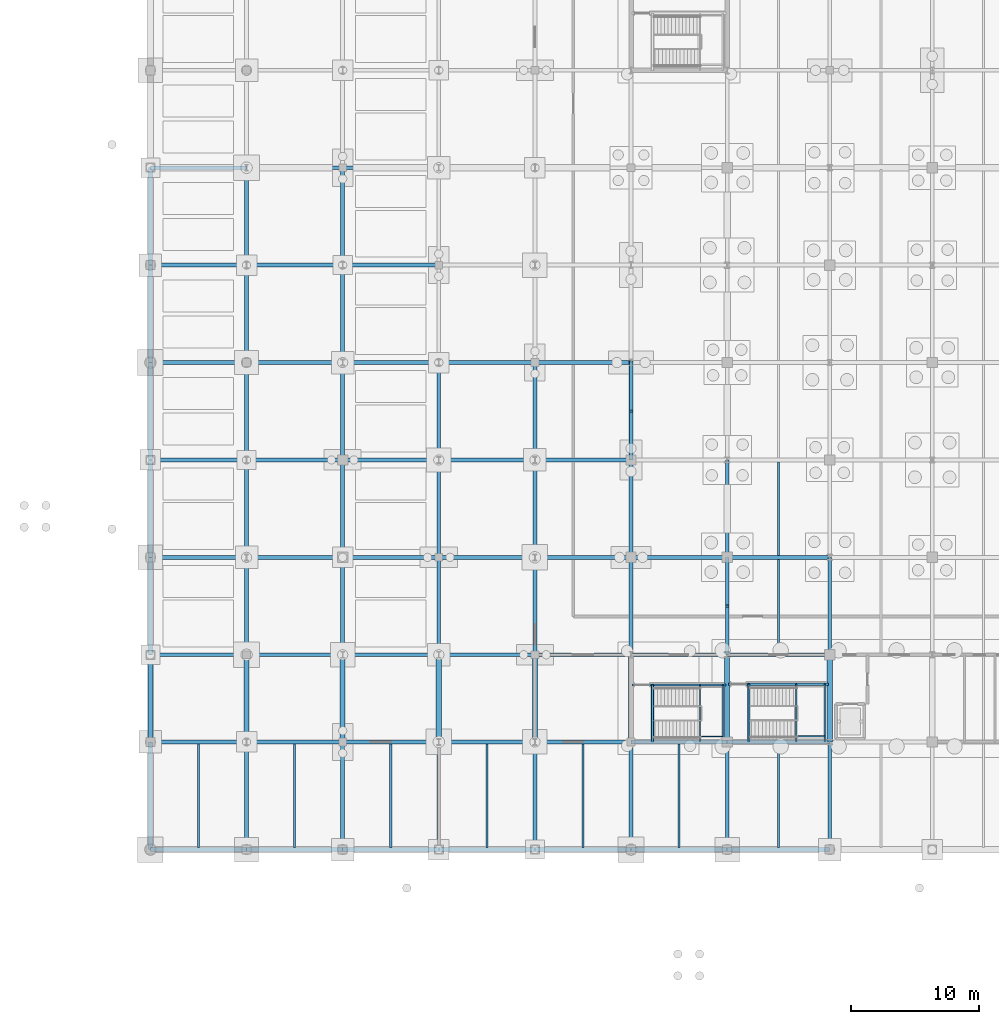
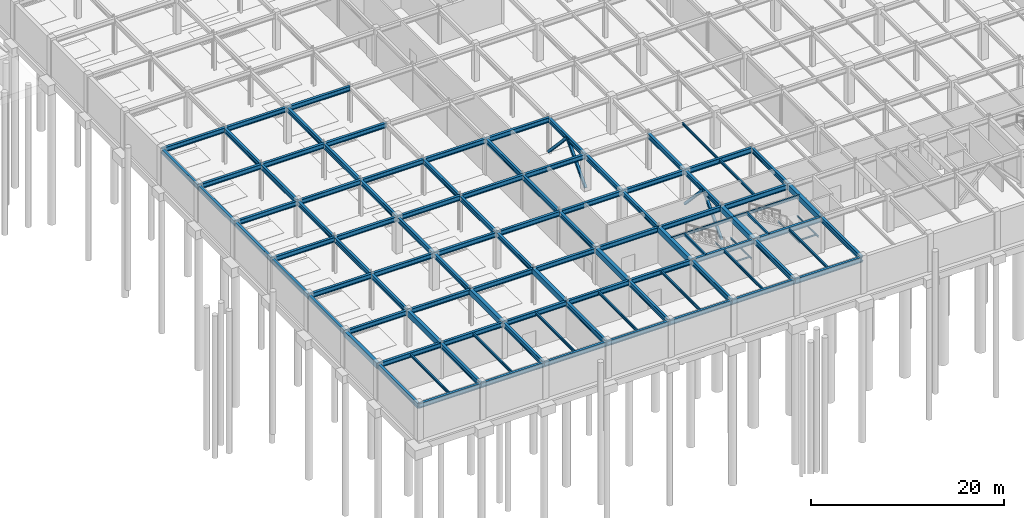
# One storey, part 29 of 53: 106 beams, 4 members.
"""IFC4 building model written with IfcOpenShell, lengths in metres."""

import ifcopenshell
import ifcopenshell.guid

model = None  # the IFC model being written
_history = None  # IfcOwnerHistory: only IFC2X3 demands one
_inside = {}  # id of a spatial element -> (the spatial element, [elements in it])
_under = {}  # id of a project, library or spatial element -> (it, [spatial elements below it])
_declared = {}  # id of a project -> (the project, [libraries it declares])
_typed = {}  # id of a type object -> (the type object, [elements of that type])
_made_of = {}  # id of a material, layer set ... -> (it, [elements and type objects made of it])


def new_model(schema):
    """Start an empty IFC model of exactly this schema.

    Asked for "IFC4X3", IfcOpenShell would pick the latest addendum, in which some entities
    have other attributes; the version numbers below select the first issue.
    IFC2X3 requires an IfcOwnerHistory on every rooted entity: one is made here for all.
    """
    global model, _history
    if schema == "IFC4X3":
        model = ifcopenshell.file(schema_version=(4, 3, 0, 0))
    else:
        model = ifcopenshell.file(schema=schema)
    _inside.clear()
    _under.clear()
    _declared.clear()
    _typed.clear()
    _made_of.clear()
    _history = None
    if model.schema == "IFC2X3":
        org = make("IfcOrganization", Name="unknown")
        user = make(
            "IfcPersonAndOrganization",
            ThePerson=make("IfcPerson", FamilyName="unknown"),
            TheOrganization=org,
        )
        app = make(
            "IfcApplication",
            ApplicationDeveloper=org,
            Version="unknown",
            ApplicationFullName="unknown",
            ApplicationIdentifier="unknown",
        )
        _history = make(
            "IfcOwnerHistory",
            OwningUser=user,
            OwningApplication=app,
            ChangeAction="ADDED",
            CreationDate=0,
        )
    return model


def make(cls, **values):
    """One entity of the class cls with the attributes given. An attribute that is None is left unset."""
    return model.create_entity(
        cls, **{name: value for name, value in values.items() if value is not None}
    )


def rooted(cls, **values):
    """An entity with a GlobalId (a new one), such as an element, a storey or a relation."""
    return make(cls, GlobalId=ifcopenshell.guid.new(), OwnerHistory=_history, **values)


def si_unit(unit_type, name, prefix=None):
    """IfcSIUnit, for example si_unit("LENGTHUNIT", "METRE", prefix="MILLI")."""
    return make("IfcSIUnit", UnitType=unit_type, Prefix=prefix, Name=name)


def assignment(units):
    """IfcUnitAssignment: the units of a project."""
    return None if units is None else make("IfcUnitAssignment", Units=units)


def point(xyz):
    """IfcCartesianPoint."""
    return None if xyz is None else make("IfcCartesianPoint", Coordinates=xyz)


def direction(xyz):
    """IfcDirection."""
    return None if xyz is None else make("IfcDirection", DirectionRatios=xyz)


def frame(location, z_axis=None, x_axis=None):
    """IfcAxis2Placement3D, a coordinate frame: its origin and axes. An axis left out is left unset."""
    return make(
        "IfcAxis2Placement3D",
        Location=point(location),
        Axis=direction(z_axis),
        RefDirection=direction(x_axis),
    )


def frame_2d(location, x_axis=None):
    """IfcAxis2Placement2D, a coordinate frame in the plane: its origin and x axis."""
    return make(
        "IfcAxis2Placement2D", Location=point(location), RefDirection=direction(x_axis)
    )


def origin():
    """The frame at (0, 0, 0) with its axes left unset."""
    return frame((0.0, 0.0, 0.0))


def origin_2d():
    """The frame at (0, 0) in the plane with its x axis left unset."""
    return frame_2d((0.0, 0.0))


def place(relative_to, where):
    """IfcLocalPlacement: puts the frame where relative to a parent placement (None: the world)."""
    return make(
        "IfcLocalPlacement", PlacementRelTo=relative_to, RelativePlacement=where
    )


def context(
    kind, dimensions, precision=None, world=None, true_north=None, identifier=None
):
    """IfcGeometricRepresentationContext, for example the 3D "Model" context."""
    return make(
        "IfcGeometricRepresentationContext",
        ContextIdentifier=identifier,
        ContextType=kind,
        CoordinateSpaceDimension=dimensions,
        Precision=precision,
        WorldCoordinateSystem=world,
        TrueNorth=true_north,
    )


def subcontext(parent, identifier, kind, view, scale=None):
    """IfcGeometricRepresentationSubContext, for example "Body" below "Model"."""
    return make(
        "IfcGeometricRepresentationSubContext",
        ContextIdentifier=identifier,
        ContextType=kind,
        ParentContext=parent,
        TargetScale=scale,
        TargetView=view,
    )


def project(units=None, contexts=None):
    """IfcProject with its units and contexts."""
    return rooted(
        "IfcProject",
        Name="project",
        RepresentationContexts=contexts,
        UnitsInContext=assignment(units),
    )


def spatial(cls, under=None, at=None, **own):
    """A site, building, storey or space (cls), placed at a placement, below another one or the project."""
    s = rooted(cls, ObjectPlacement=at, **own)
    if under is not None:
        _under.setdefault(under.id(), (under, []))[1].append(s)
    return s


def profile(cls, at=None, kind="AREA", **sizes):
    """A parametric profile (cls). Its sizes go by their IFC names, for example OverallWidth=200.0."""
    return make(cls, ProfileType=kind, Position=at, **sizes)


def rectangle(**sizes):
    """IfcRectangleProfileDef."""
    return profile("IfcRectangleProfileDef", **sizes)


def hollow_rectangle(**sizes):
    """IfcRectangleHollowProfileDef."""
    return profile("IfcRectangleHollowProfileDef", **sizes)


def i_section(**sizes):
    """IfcIShapeProfileDef."""
    return profile("IfcIShapeProfileDef", **sizes)


def extrude(swept, where, along, depth):
    """IfcExtrudedAreaSolid: the profile swept, set in the frame where, extruded along a direction by depth."""
    return make(
        "IfcExtrudedAreaSolid",
        SweptArea=swept,
        Position=where,
        ExtrudedDirection=direction(along),
        Depth=depth,
    )


def shape(context_of_items, identifier, shape_type, items):
    """IfcShapeRepresentation: the items that make up one representation, for example the "Body"."""
    return make(
        "IfcShapeRepresentation",
        ContextOfItems=context_of_items,
        RepresentationIdentifier=identifier,
        RepresentationType=shape_type,
        Items=items,
    )


def material(Name=None, Category=None):
    """IfcMaterial."""
    return make("IfcMaterial", Name=Name, Category=Category)


def material_profile(
    of_material, cross_section, Name=None, Category=None, Priority=None
):
    """IfcMaterialProfile: a cross section and its material."""
    return make(
        "IfcMaterialProfile",
        Name=Name,
        Material=of_material,
        Profile=cross_section,
        Priority=Priority,
        Category=Category,
    )


def profile_set(profiles, Name=None, composite=None):
    """IfcMaterialProfileSet."""
    return make(
        "IfcMaterialProfileSet",
        Name=Name,
        MaterialProfiles=profiles,
        CompositeProfile=composite,
    )


def made_of(thing, what):
    """Note that an element or type object is made of a material, layer set ...; save() writes the relation."""
    if what is not None:
        _made_of.setdefault(what.id(), (what, []))[1].append(thing)
    return thing


def type_object(cls, material=None, **own):
    """A type object (cls), such as IfcWallType, which elements share."""
    return made_of(rooted(cls, **own), material)


def element(
    cls,
    number,
    at=None,
    inside=None,
    cuts=None,
    type_object=None,
    material=None,
    context=None,
    identifier="Body",
    shape_type=None,
    held_by="IfcProductDefinitionShape",
    body=None,
    shapes=None,
    **own,
):
    """One element of the class cls, such as IfcWall. Its Tag is "e" and its number.

    at: its placement. inside: the storey or other place that contains it. cuts: it is an
    opening in that element (IfcRelVoidsElement). A single representation is given by context,
    identifier, shape_type and body (its items); several are given by shapes. held_by: the class
    of the entity that holds the representations. save() writes the other relations.
    """
    e = rooted(cls, Tag="e%d" % number, ObjectPlacement=at, **own)
    if body is not None:
        shapes = [shape(context, identifier, shape_type, body)]
    if shapes is not None:
        e.Representation = make(held_by, Representations=shapes)
    if inside is not None:
        _inside.setdefault(inside.id(), (inside, []))[1].append(e)
    if cuts is not None:
        rooted(
            "IfcRelVoidsElement", RelatingBuildingElement=cuts, RelatedOpeningElement=e
        )
    if type_object is not None:
        _typed.setdefault(type_object.id(), (type_object, []))[1].append(e)
    return made_of(e, material)


def aggregate(whole, parts):
    """IfcRelAggregates: a whole, such as a stair, and the parts it consists of."""
    return rooted("IfcRelAggregates", RelatingObject=whole, RelatedObjects=parts)


def save(model, path):
    """Write the relations noted so far, then the file.

    IfcRelAggregates (storeys below a building ...), IfcRelContainedInSpatialStructure (elements
    in a storey), IfcRelDefinesByType, IfcRelAssociatesMaterial and IfcRelDeclares: one each for
    every whole, place, type object, material and project.
    """
    for whole, parts in _under.values():
        aggregate(whole, parts)
    for where, things in _inside.values():
        rooted(
            "IfcRelContainedInSpatialStructure",
            RelatedElements=things,
            RelatingStructure=where,
        )
    for kind, things in _typed.values():
        rooted("IfcRelDefinesByType", RelatedObjects=things, RelatingType=kind)
    for what, things in _made_of.values():
        rooted("IfcRelAssociatesMaterial", RelatedObjects=things, RelatingMaterial=what)
    for by, libraries in _declared.values():
        rooted("IfcRelDeclares", RelatingContext=by, RelatedDefinitions=libraries)
    model.write(path)


model = new_model("IFC4")

# Units and contexts
model_context = context("Model", 3, precision=1e-05, world=origin(), true_north=direction((0.0, 1.0)))
body_context = subcontext(model_context, "Body", "Model", "MODEL_VIEW")
ifc_project = project(units=[si_unit("LENGTHUNIT", "METRE"), si_unit("AREAUNIT", "SQUARE_METRE"), si_unit("VOLUMEUNIT", "CUBIC_METRE"), si_unit("PLANEANGLEUNIT", "RADIAN"), si_unit("MASSUNIT", "GRAM", prefix="KILO")], contexts=[model_context])

# Site, building, storey
site_placement = place(None, origin())
site = spatial("IfcSite", under=ifc_project, at=site_placement, CompositionType="ELEMENT")
building_placement = place(site_placement, origin())
building = spatial("IfcBuilding", under=site, at=building_placement, Name="Shalkamar Park Central Library", CompositionType="ELEMENT")
storey_placement = place(building_placement, frame((0.0, 0.0, -4.800048828125)))
storey = spatial("IfcBuildingStorey", under=building, at=storey_placement, Name="B1", CompositionType="ELEMENT", Elevation=-4.800048828125)

# Beams
ifc_material_1 = material(Name="Steel S355", Category="steel")
ifc_material_profile_1 = material_profile(ifc_material_1, i_section(OverallWidth=0.10009765625, OverallDepth=0.199951171875, WebThickness=0.005615234375, FlangeThickness=0.008544921875, FilletRadius=0.011962890625, at=origin_2d()), Name="IPE 200")
ifc_profile_set_1 = profile_set([ifc_material_profile_1], Name="Steel S355")
beam_type_1 = type_object("IfcBeamType", Name="Composite Floor Joist IPE200", PredefinedType="JOIST", material=ifc_profile_set_1)
for number, where, z_axis, x_axis, name in (
    (1, (170.39990234375, 248.39990234375, 2.02001953125), (0.0, 1.0, 0.0), (-1.0, 0.0, 0.0), "Stair Half-Landing Beam ST-T1-B1-1"),
    (2, (172.6201171875, 248.39990234375, 2.02001953125), (0.0, 1.0, 0.0), (-1.0, 0.0, 0.0), "Stair Half-Landing Beam ST-T1-B1-2"),
):
    element("IfcBeam", number, at=place(storey_placement, frame(where, z_axis=z_axis, x_axis=x_axis)), inside=storey, type_object=beam_type_1, Name=name, PredefinedType="JOIST", context=body_context, shape_type="SweptSolid", body=[
        extrude(i_section(OverallWidth=0.10009765625, OverallDepth=0.199951171875, WebThickness=0.005615234375, FlangeThickness=0.008544921875, FilletRadius=0.011962890625, at=origin_2d()), origin(), (0.0, 0.0, 1.0), 4.5),
    ])
beam_1_placement = place(storey_placement, frame((170.39990234375, 248.85009765625, 2.02001953125), z_axis=(1.0, 0.0, 0.0), x_axis=(0.0, 1.0, 0.0)))
element("IfcBeam", 3, at=beam_1_placement, inside=storey, type_object=beam_type_1, Name="Stair Half-Landing Cross Tie ST-T1-B1-3", PredefinedType="JOIST", context=body_context, shape_type="SweptSolid", body=[
    extrude(i_section(OverallWidth=0.10009765625, OverallDepth=0.199951171875, WebThickness=0.005615234375, FlangeThickness=0.008544921875, FilletRadius=0.011962890625, at=origin_2d()), origin(), (0.0, 0.0, 1.0), 2.22021484375),
])
for number, where, z_axis, x_axis, name in (
    (4, (162.875, 248.39990234375, 2.02001953125), (0.0, 1.0, 0.0), (-1.0, 0.0, 0.0), "Stair Half-Landing Beam ST-P1-B1-1"),
    (5, (164.64501953125, 248.39990234375, 2.02001953125), (0.0, 1.0, 0.0), (-1.0, 0.0, 0.0), "Stair Half-Landing Beam ST-P1-B1-2"),
):
    element("IfcBeam", number, at=place(storey_placement, frame(where, z_axis=z_axis, x_axis=x_axis)), inside=storey, type_object=beam_type_1, Name=name, PredefinedType="JOIST", context=body_context, shape_type="SweptSolid", body=[
        extrude(i_section(OverallWidth=0.10009765625, OverallDepth=0.199951171875, WebThickness=0.005615234375, FlangeThickness=0.008544921875, FilletRadius=0.011962890625, at=origin_2d()), origin(), (0.0, 0.0, 1.0), 4.4501953125),
    ])
beam_2_placement = place(storey_placement, frame((162.875, 248.824951171875, 2.02001953125), z_axis=(1.0, 0.0, 0.0), x_axis=(0.0, 1.0, 0.0)))
element("IfcBeam", 6, at=beam_2_placement, inside=storey, type_object=beam_type_1, Name="Stair Half-Landing Cross Tie ST-P1-B1-3", PredefinedType="JOIST", context=body_context, shape_type="SweptSolid", body=[
    extrude(i_section(OverallWidth=0.10009765625, OverallDepth=0.199951171875, WebThickness=0.005615234375, FlangeThickness=0.008544921875, FilletRadius=0.011962890625, at=origin_2d()), origin(), (0.0, 0.0, 1.0), 1.77001953125),
])
ifc_material_profile_2 = material_profile(ifc_material_1, i_section(OverallWidth=0.14990234375, OverallDepth=0.300048828125, WebThickness=0.007080078125, FlangeThickness=0.0107421875, FilletRadius=0.014892578125, at=origin_2d()), Name="IPE 300")
ifc_profile_set_2 = profile_set([ifc_material_profile_2], Name="Steel S355")
beam_type_2 = type_object("IfcBeamType", Name="Composite Floor Joist IPE300", PredefinedType="JOIST", material=ifc_profile_set_2)
beam_3_placement = place(storey_placement, frame((169.0, 262.947998046875, 4.360107421875), z_axis=(0.0, 1.0, 0.0), x_axis=(-1.0, 0.0, 0.0)))
element("IfcBeam", 7, at=beam_3_placement, inside=storey, type_object=beam_type_2, Name="Composite Joist 07/D-1 (B1)", PredefinedType="JOIST", context=body_context, shape_type="SweptSolid", body=[
    extrude(i_section(OverallWidth=0.14990234375, OverallDepth=0.300048828125, WebThickness=0.007080078125, FlangeThickness=0.0107421875, FilletRadius=0.014892578125, at=origin_2d()), origin(), (0.0, 0.0, 1.0), 7.303955078125),
])
ifc_material_profile_3 = material_profile(ifc_material_1, i_section(OverallWidth=0.159912109375, OverallDepth=0.330078125, WebThickness=0.007568359375, FlangeThickness=0.011474609375, FilletRadius=0.01806640625, at=origin_2d()), Name="IPE 330")
ifc_profile_set_3 = profile_set([ifc_material_profile_3], Name="Steel S355")
beam_type_3 = type_object("IfcBeamType", Name="Composite Floor Joist IPE330", PredefinedType="JOIST", material=ifc_profile_set_3)
for number, where, z_axis, x_axis, name in (
    (8, (123.75, 240.14794921875, 4.344970703125), (0.0, 1.0, 0.0), (-1.0, 0.0, 0.0), "Composite Joist 01/A-1 (B1)"),
    (9, (131.25, 240.14794921875, 4.344970703125), (0.0, 1.0, 0.0), (-1.0, 0.0, 0.0), "Composite Joist 02/A-1 (B1)"),
    (10, (138.75, 240.14794921875, 4.344970703125), (0.0, 1.0, 0.0), (-1.0, 0.0, 0.0), "Composite Joist 03/A-1 (B1)"),
    (11, (146.25, 240.14794921875, 4.344970703125), (0.0, 1.0, 0.0), (-1.0, 0.0, 0.0), "Composite Joist 04/A-1 (B1)"),
    (12, (153.75, 240.14794921875, 4.344970703125), (0.0, 1.0, 0.0), (-1.0, 0.0, 0.0), "Composite Joist 05/A-1 (B1)"),
    (13, (161.25, 240.14794921875, 4.344970703125), (0.0, 1.0, 0.0), (-1.0, 0.0, 0.0), "Composite Joist 06/A-1 (B1)"),
    (14, (169.0, 240.14794921875, 4.344970703125), (0.0, 1.0, 0.0), (-1.0, 0.0, 0.0), "Composite Joist 07/A-1 (B1)"),
):
    element("IfcBeam", number, at=place(storey_placement, frame(where, z_axis=z_axis, x_axis=x_axis)), inside=storey, type_object=beam_type_3, Name=name, PredefinedType="JOIST", context=body_context, shape_type="SweptSolid", body=[
        extrude(i_section(OverallWidth=0.159912109375, OverallDepth=0.330078125, WebThickness=0.007568359375, FlangeThickness=0.011474609375, FilletRadius=0.01806640625, at=origin_2d()), origin(), (0.0, 0.0, 1.0), 8.10400390625),
    ])
beam_4_placement = place(storey_placement, frame((169.0, 255.347900390625, 4.344970703125), z_axis=(0.0, 1.0, 0.0), x_axis=(-1.0, 0.0, 0.0)))
element("IfcBeam", 15, at=beam_4_placement, inside=storey, type_object=beam_type_3, Name="Composite Joist 07/C-1 (B1)", PredefinedType="JOIST", context=body_context, shape_type="SweptSolid", body=[
    extrude(i_section(OverallWidth=0.159912109375, OverallDepth=0.330078125, WebThickness=0.007568359375, FlangeThickness=0.011474609375, FilletRadius=0.01806640625, at=origin_2d()), origin(), (0.0, 0.0, 1.0), 7.30419921875),
])

# Members
ifc_material_profile_4 = material_profile(ifc_material_1, hollow_rectangle(XDim=0.300048828125, YDim=0.300048828125, WallThickness=0.01611328125, InnerFilletRadius=0.01611328125, OuterFilletRadius=0.02392578125, at=origin_2d()), Name="SHS 300x300x16")
ifc_profile_set_4 = profile_set([ifc_material_profile_4], Name="Steel S355")
member_type = type_object("IfcMemberType", Name="Diagonal Brace SHS300", PredefinedType="BRACE", material=ifc_profile_set_4)
for number, where, z_axis, x_axis, name in (
    (16, (165.0, 255.199951171875, 0.150146484375), (0.0, 0.683364048982, 0.730077788019), (-1.0, 0.0, 0.0), "Chevron Brace TW-W Leg A (B1)"),
    (17, (165.0, 262.800048828125, 0.150146484375), (0.0, -0.683364048982, 0.730077788019), (1.0, 0.0, 0.0), "Chevron Brace TW-W Leg B (B1)"),
    (18, (157.5, 270.39990234375, 0.150146484375), (0.0, 0.683364048982, 0.730077788019), (-1.0, 0.0, 0.0), "Chevron Brace PD-W Leg A (B1)"),
    (19, (157.5, 278.0, 0.150146484375), (0.0, -0.683364048982, 0.730077788019), (1.0, 0.0, 0.0), "Chevron Brace PD-W Leg B (B1)"),
):
    element("IfcMember", number, at=place(storey_placement, frame(where, z_axis=z_axis, x_axis=x_axis)), inside=storey, type_object=member_type, Name=name, PredefinedType="BRACE", context=body_context, shape_type="SweptSolid", body=[
        extrude(hollow_rectangle(XDim=0.300048828125, YDim=0.300048828125, WallThickness=0.01611328125, InnerFilletRadius=0.01611328125, OuterFilletRadius=0.02392578125, at=origin_2d()), origin(), (0.0, 0.0, 1.0), 5.560791015625),
    ])

# Beams
ifc_material_profile_5 = material_profile(ifc_material_1, i_section(OverallWidth=0.300048828125, OverallDepth=0.60009765625, WebThickness=0.015380859375, FlangeThickness=0.030029296875, FilletRadius=0.027099609375, at=origin_2d()), Name="HEB 600")
ifc_profile_set_5 = profile_set([ifc_material_profile_5], Name="Steel S355")
beam_type_4 = type_object("IfcBeamType", Name="Primary Girder HEB600", PredefinedType="BEAM", material=ifc_profile_set_5)
for number, where, z_axis, x_axis, name in (
    (20, (120.0, 240.0, 4.2099609375), (1.0, 0.0, 0.0), (0.0, 1.0, 0.0), "Beam A:01-02 (B1)"),
    (21, (127.5, 240.0, 4.2099609375), (1.0, 0.0, 0.0), (0.0, 1.0, 0.0), "Beam A:02-03 (B1)"),
    (22, (135.0, 240.0, 4.2099609375), (1.0, 0.0, 0.0), (0.0, 1.0, 0.0), "Beam A:03-04 (B1)"),
    (23, (142.5, 240.0, 4.2099609375), (1.0, 0.0, 0.0), (0.0, 1.0, 0.0), "Beam A:04-05 (B1)"),
    (24, (150.0, 240.0, 4.2099609375), (1.0, 0.0, 0.0), (0.0, 1.0, 0.0), "Beam A:05-06 (B1)"),
    (25, (157.5, 240.0, 4.2099609375), (1.0, 0.0, 0.0), (0.0, 1.0, 0.0), "Beam A:06-07 (B1)"),
    (26, (120.0, 248.39990234375, 4.2099609375), (1.0, 0.0, 0.0), (0.0, 1.0, 0.0), "Beam B:01-02 (B1)"),
    (27, (127.5, 248.39990234375, 4.2099609375), (1.0, 0.0, 0.0), (0.0, 1.0, 0.0), "Beam B:02-03 (B1)"),
    (28, (135.0, 248.39990234375, 4.2099609375), (1.0, 0.0, 0.0), (0.0, 1.0, 0.0), "Beam B:03-04 (B1)"),
    (29, (142.5, 248.39990234375, 4.2099609375), (1.0, 0.0, 0.0), (0.0, 1.0, 0.0), "Beam B:04-05 (B1)"),
    (30, (150.0, 248.39990234375, 4.2099609375), (1.0, 0.0, 0.0), (0.0, 1.0, 0.0), "Beam B:05-06 (B1)"),
    (31, (157.5, 248.39990234375, 4.2099609375), (1.0, 0.0, 0.0), (0.0, 1.0, 0.0), "Beam B:06-07 (B1)"),
    (32, (120.0, 255.199951171875, 4.2099609375), (1.0, 0.0, 0.0), (0.0, 1.0, 0.0), "Beam C:01-02 (B1)"),
    (33, (127.5, 255.199951171875, 4.2099609375), (1.0, 0.0, 0.0), (0.0, 1.0, 0.0), "Beam C:02-03 (B1)"),
    (34, (135.0, 255.199951171875, 4.2099609375), (1.0, 0.0, 0.0), (0.0, 1.0, 0.0), "Beam C:03-04 (B1)"),
    (35, (142.5, 255.199951171875, 4.2099609375), (1.0, 0.0, 0.0), (0.0, 1.0, 0.0), "Beam C:04-05 (B1)"),
    (36, (150.0, 255.199951171875, 4.2099609375), (1.0, 0.0, 0.0), (0.0, 1.0, 0.0), "Beam C:05-06 (B1)"),
    (37, (157.5, 255.199951171875, 4.2099609375), (1.0, 0.0, 0.0), (0.0, 1.0, 0.0), "Beam C:06-07 (B1)"),
    (38, (120.0, 262.800048828125, 4.2099609375), (1.0, 0.0, 0.0), (0.0, 1.0, 0.0), "Beam D:01-02 (B1)"),
    (39, (127.5, 262.800048828125, 4.2099609375), (1.0, 0.0, 0.0), (0.0, 1.0, 0.0), "Beam D:02-03 (B1)"),
    (40, (135.0, 262.800048828125, 4.2099609375), (1.0, 0.0, 0.0), (0.0, 1.0, 0.0), "Beam D:03-04 (B1)"),
    (41, (142.5, 262.800048828125, 4.2099609375), (1.0, 0.0, 0.0), (0.0, 1.0, 0.0), "Beam D:04-05 (B1)"),
    (42, (150.0, 262.800048828125, 4.2099609375), (1.0, 0.0, 0.0), (0.0, 1.0, 0.0), "Beam D:05-06 (B1)"),
    (43, (157.5, 262.800048828125, 4.2099609375), (1.0, 0.0, 0.0), (0.0, 1.0, 0.0), "Beam D:06-07 (B1)"),
    (44, (120.0, 270.39990234375, 4.2099609375), (1.0, 0.0, 0.0), (0.0, 1.0, 0.0), "Beam E:01-02 (B1)"),
    (45, (127.5, 270.39990234375, 4.2099609375), (1.0, 0.0, 0.0), (0.0, 1.0, 0.0), "Beam E:02-03 (B1)"),
    (46, (135.0, 270.39990234375, 4.2099609375), (1.0, 0.0, 0.0), (0.0, 1.0, 0.0), "Beam E:03-04 (B1)"),
    (47, (142.5, 270.39990234375, 4.2099609375), (1.0, 0.0, 0.0), (0.0, 1.0, 0.0), "Beam E:04-05 (B1)"),
    (48, (150.0, 270.39990234375, 4.2099609375), (1.0, 0.0, 0.0), (0.0, 1.0, 0.0), "Beam E:05-06 (B1)"),
    (49, (120.0, 278.0, 4.2099609375), (1.0, 0.0, 0.0), (0.0, 1.0, 0.0), "Beam F:01-02 (B1)"),
    (50, (127.5, 278.0, 4.2099609375), (1.0, 0.0, 0.0), (0.0, 1.0, 0.0), "Beam F:02-03 (B1)"),
    (51, (135.0, 278.0, 4.2099609375), (1.0, 0.0, 0.0), (0.0, 1.0, 0.0), "Beam F:03-04 (B1)"),
    (52, (142.5, 278.0, 4.2099609375), (1.0, 0.0, 0.0), (0.0, 1.0, 0.0), "Beam F:04-05 (B1)"),
    (53, (150.0, 278.0, 4.2099609375), (1.0, 0.0, 0.0), (0.0, 1.0, 0.0), "Beam F:05-06 (B1)"),
    (54, (120.0, 285.60009765625, 4.2099609375), (1.0, 0.0, 0.0), (0.0, 1.0, 0.0), "Beam G:01-02 (B1)"),
    (55, (127.5, 285.60009765625, 4.2099609375), (1.0, 0.0, 0.0), (0.0, 1.0, 0.0), "Beam G:02-03 (B1)"),
    (56, (135.0, 285.60009765625, 4.2099609375), (1.0, 0.0, 0.0), (0.0, 1.0, 0.0), "Beam G:03-04 (B1)"),
    (57, (120.0, 293.199951171875, 4.2099609375), (1.0, 0.0, 0.0), (0.0, 1.0, 0.0), "Beam H:01-02 (B1)"),
    (58, (127.5, 293.199951171875, 4.2099609375), (1.0, 0.0, 0.0), (0.0, 1.0, 0.0), "Beam H:02-03 (B1)"),
    (59, (135.0, 293.199951171875, 4.2099609375), (1.0, 0.0, 0.0), (0.0, 1.0, 0.0), "Beam H:03-04 (B1)"),
):
    element("IfcBeam", number, at=place(storey_placement, frame(where, z_axis=z_axis, x_axis=x_axis)), inside=storey, type_object=beam_type_4, Name=name, PredefinedType="BEAM", context=body_context, shape_type="SweptSolid", body=[
        extrude(i_section(OverallWidth=0.300048828125, OverallDepth=0.60009765625, WebThickness=0.015380859375, FlangeThickness=0.030029296875, FilletRadius=0.027099609375, at=origin_2d()), origin(), (0.0, 0.0, 1.0), 7.5),
    ])
beam_5_placement = place(storey_placement, frame((120.0, 255.199951171875, 4.2099609375), z_axis=(0.0, 1.0, 0.0), x_axis=(-1.0, 0.0, 0.0)))
element("IfcBeam", 60, at=beam_5_placement, inside=storey, type_object=beam_type_4, Name="Beam 01:C-D (B1)", PredefinedType="BEAM", context=body_context, shape_type="SweptSolid", body=[
    extrude(i_section(OverallWidth=0.300048828125, OverallDepth=0.60009765625, WebThickness=0.015380859375, FlangeThickness=0.030029296875, FilletRadius=0.027099609375, at=origin_2d()), origin(), (0.0, 0.0, 1.0), 7.60009765625),
])
beam_6_placement = place(storey_placement, frame((120.0, 262.800048828125, 4.2099609375), z_axis=(0.0, 1.0, 0.0), x_axis=(-1.0, 0.0, 0.0)))
element("IfcBeam", 61, at=beam_6_placement, inside=storey, type_object=beam_type_4, Name="Beam 01:D-E (B1)", PredefinedType="BEAM", context=body_context, shape_type="SweptSolid", body=[
    extrude(i_section(OverallWidth=0.300048828125, OverallDepth=0.60009765625, WebThickness=0.015380859375, FlangeThickness=0.030029296875, FilletRadius=0.027099609375, at=origin_2d()), origin(), (0.0, 0.0, 1.0), 7.599853515625),
])
for number, where, z_axis, x_axis, name in (
    (62, (120.0, 270.39990234375, 4.2099609375), (0.0, 1.0, 0.0), (-1.0, 0.0, 0.0), "Beam 01:E-F (B1)"),
    (63, (120.0, 278.0, 4.2099609375), (0.0, 1.0, 0.0), (-1.0, 0.0, 0.0), "Beam 01:F-G (B1)"),
):
    element("IfcBeam", number, at=place(storey_placement, frame(where, z_axis=z_axis, x_axis=x_axis)), inside=storey, type_object=beam_type_4, Name=name, PredefinedType="BEAM", context=body_context, shape_type="SweptSolid", body=[
        extrude(i_section(OverallWidth=0.300048828125, OverallDepth=0.60009765625, WebThickness=0.015380859375, FlangeThickness=0.030029296875, FilletRadius=0.027099609375, at=origin_2d()), origin(), (0.0, 0.0, 1.0), 7.60009765625),
    ])
beam_7_placement = place(storey_placement, frame((120.0, 285.60009765625, 4.2099609375), z_axis=(0.0, 1.0, 0.0), x_axis=(-1.0, 0.0, 0.0)))
element("IfcBeam", 64, at=beam_7_placement, inside=storey, type_object=beam_type_4, Name="Beam 01:G-H (B1)", PredefinedType="BEAM", context=body_context, shape_type="SweptSolid", body=[
    extrude(i_section(OverallWidth=0.300048828125, OverallDepth=0.60009765625, WebThickness=0.015380859375, FlangeThickness=0.030029296875, FilletRadius=0.027099609375, at=origin_2d()), origin(), (0.0, 0.0, 1.0), 7.599853515625),
])
beam_8_placement = place(storey_placement, frame((127.5, 255.199951171875, 4.2099609375), z_axis=(0.0, 1.0, 0.0), x_axis=(-1.0, 0.0, 0.0)))
element("IfcBeam", 65, at=beam_8_placement, inside=storey, type_object=beam_type_4, Name="Beam 02:C-D (B1)", PredefinedType="BEAM", context=body_context, shape_type="SweptSolid", body=[
    extrude(i_section(OverallWidth=0.300048828125, OverallDepth=0.60009765625, WebThickness=0.015380859375, FlangeThickness=0.030029296875, FilletRadius=0.027099609375, at=origin_2d()), origin(), (0.0, 0.0, 1.0), 7.60009765625),
])
beam_9_placement = place(storey_placement, frame((127.5, 262.800048828125, 4.2099609375), z_axis=(0.0, 1.0, 0.0), x_axis=(-1.0, 0.0, 0.0)))
element("IfcBeam", 66, at=beam_9_placement, inside=storey, type_object=beam_type_4, Name="Beam 02:D-E (B1)", PredefinedType="BEAM", context=body_context, shape_type="SweptSolid", body=[
    extrude(i_section(OverallWidth=0.300048828125, OverallDepth=0.60009765625, WebThickness=0.015380859375, FlangeThickness=0.030029296875, FilletRadius=0.027099609375, at=origin_2d()), origin(), (0.0, 0.0, 1.0), 7.599853515625),
])
for number, where, z_axis, x_axis, name in (
    (67, (127.5, 270.39990234375, 4.2099609375), (0.0, 1.0, 0.0), (-1.0, 0.0, 0.0), "Beam 02:E-F (B1)"),
    (68, (127.5, 278.0, 4.2099609375), (0.0, 1.0, 0.0), (-1.0, 0.0, 0.0), "Beam 02:F-G (B1)"),
):
    element("IfcBeam", number, at=place(storey_placement, frame(where, z_axis=z_axis, x_axis=x_axis)), inside=storey, type_object=beam_type_4, Name=name, PredefinedType="BEAM", context=body_context, shape_type="SweptSolid", body=[
        extrude(i_section(OverallWidth=0.300048828125, OverallDepth=0.60009765625, WebThickness=0.015380859375, FlangeThickness=0.030029296875, FilletRadius=0.027099609375, at=origin_2d()), origin(), (0.0, 0.0, 1.0), 7.60009765625),
    ])
beam_10_placement = place(storey_placement, frame((127.5, 285.60009765625, 4.2099609375), z_axis=(0.0, 1.0, 0.0), x_axis=(-1.0, 0.0, 0.0)))
element("IfcBeam", 69, at=beam_10_placement, inside=storey, type_object=beam_type_4, Name="Beam 02:G-H (B1)", PredefinedType="BEAM", context=body_context, shape_type="SweptSolid", body=[
    extrude(i_section(OverallWidth=0.300048828125, OverallDepth=0.60009765625, WebThickness=0.015380859375, FlangeThickness=0.030029296875, FilletRadius=0.027099609375, at=origin_2d()), origin(), (0.0, 0.0, 1.0), 7.599853515625),
])
beam_11_placement = place(storey_placement, frame((135.0, 255.199951171875, 4.2099609375), z_axis=(0.0, 1.0, 0.0), x_axis=(-1.0, 0.0, 0.0)))
element("IfcBeam", 70, at=beam_11_placement, inside=storey, type_object=beam_type_4, Name="Beam 03:C-D (B1)", PredefinedType="BEAM", context=body_context, shape_type="SweptSolid", body=[
    extrude(i_section(OverallWidth=0.300048828125, OverallDepth=0.60009765625, WebThickness=0.015380859375, FlangeThickness=0.030029296875, FilletRadius=0.027099609375, at=origin_2d()), origin(), (0.0, 0.0, 1.0), 7.60009765625),
])
beam_12_placement = place(storey_placement, frame((135.0, 262.800048828125, 4.2099609375), z_axis=(0.0, 1.0, 0.0), x_axis=(-1.0, 0.0, 0.0)))
element("IfcBeam", 71, at=beam_12_placement, inside=storey, type_object=beam_type_4, Name="Beam 03:D-E (B1)", PredefinedType="BEAM", context=body_context, shape_type="SweptSolid", body=[
    extrude(i_section(OverallWidth=0.300048828125, OverallDepth=0.60009765625, WebThickness=0.015380859375, FlangeThickness=0.030029296875, FilletRadius=0.027099609375, at=origin_2d()), origin(), (0.0, 0.0, 1.0), 7.599853515625),
])
for number, where, z_axis, x_axis, name in (
    (72, (135.0, 270.39990234375, 4.2099609375), (0.0, 1.0, 0.0), (-1.0, 0.0, 0.0), "Beam 03:E-F (B1)"),
    (73, (135.0, 278.0, 4.2099609375), (0.0, 1.0, 0.0), (-1.0, 0.0, 0.0), "Beam 03:F-G (B1)"),
):
    element("IfcBeam", number, at=place(storey_placement, frame(where, z_axis=z_axis, x_axis=x_axis)), inside=storey, type_object=beam_type_4, Name=name, PredefinedType="BEAM", context=body_context, shape_type="SweptSolid", body=[
        extrude(i_section(OverallWidth=0.300048828125, OverallDepth=0.60009765625, WebThickness=0.015380859375, FlangeThickness=0.030029296875, FilletRadius=0.027099609375, at=origin_2d()), origin(), (0.0, 0.0, 1.0), 7.60009765625),
    ])
beam_13_placement = place(storey_placement, frame((135.0, 285.60009765625, 4.2099609375), z_axis=(0.0, 1.0, 0.0), x_axis=(-1.0, 0.0, 0.0)))
element("IfcBeam", 74, at=beam_13_placement, inside=storey, type_object=beam_type_4, Name="Beam 03:G-H (B1)", PredefinedType="BEAM", context=body_context, shape_type="SweptSolid", body=[
    extrude(i_section(OverallWidth=0.300048828125, OverallDepth=0.60009765625, WebThickness=0.015380859375, FlangeThickness=0.030029296875, FilletRadius=0.027099609375, at=origin_2d()), origin(), (0.0, 0.0, 1.0), 7.599853515625),
])
beam_14_placement = place(storey_placement, frame((142.5, 255.199951171875, 4.2099609375), z_axis=(0.0, 1.0, 0.0), x_axis=(-1.0, 0.0, 0.0)))
element("IfcBeam", 75, at=beam_14_placement, inside=storey, type_object=beam_type_4, Name="Beam 04:C-D (B1)", PredefinedType="BEAM", context=body_context, shape_type="SweptSolid", body=[
    extrude(i_section(OverallWidth=0.300048828125, OverallDepth=0.60009765625, WebThickness=0.015380859375, FlangeThickness=0.030029296875, FilletRadius=0.027099609375, at=origin_2d()), origin(), (0.0, 0.0, 1.0), 7.60009765625),
])
beam_15_placement = place(storey_placement, frame((142.5, 262.800048828125, 4.2099609375), z_axis=(0.0, 1.0, 0.0), x_axis=(-1.0, 0.0, 0.0)))
element("IfcBeam", 76, at=beam_15_placement, inside=storey, type_object=beam_type_4, Name="Beam 04:D-E (B1)", PredefinedType="BEAM", context=body_context, shape_type="SweptSolid", body=[
    extrude(i_section(OverallWidth=0.300048828125, OverallDepth=0.60009765625, WebThickness=0.015380859375, FlangeThickness=0.030029296875, FilletRadius=0.027099609375, at=origin_2d()), origin(), (0.0, 0.0, 1.0), 7.599853515625),
])
for number, where, z_axis, x_axis, name in (
    (77, (142.5, 270.39990234375, 4.2099609375), (0.0, 1.0, 0.0), (-1.0, 0.0, 0.0), "Beam 04:E-F (B1)"),
    (78, (150.0, 255.199951171875, 4.2099609375), (0.0, 1.0, 0.0), (-1.0, 0.0, 0.0), "Beam 05:C-D (B1)"),
):
    element("IfcBeam", number, at=place(storey_placement, frame(where, z_axis=z_axis, x_axis=x_axis)), inside=storey, type_object=beam_type_4, Name=name, PredefinedType="BEAM", context=body_context, shape_type="SweptSolid", body=[
        extrude(i_section(OverallWidth=0.300048828125, OverallDepth=0.60009765625, WebThickness=0.015380859375, FlangeThickness=0.030029296875, FilletRadius=0.027099609375, at=origin_2d()), origin(), (0.0, 0.0, 1.0), 7.60009765625),
    ])
beam_16_placement = place(storey_placement, frame((150.0, 262.800048828125, 4.2099609375), z_axis=(0.0, 1.0, 0.0), x_axis=(-1.0, 0.0, 0.0)))
element("IfcBeam", 79, at=beam_16_placement, inside=storey, type_object=beam_type_4, Name="Beam 05:D-E (B1)", PredefinedType="BEAM", context=body_context, shape_type="SweptSolid", body=[
    extrude(i_section(OverallWidth=0.300048828125, OverallDepth=0.60009765625, WebThickness=0.015380859375, FlangeThickness=0.030029296875, FilletRadius=0.027099609375, at=origin_2d()), origin(), (0.0, 0.0, 1.0), 7.599853515625),
])
for number, where, z_axis, x_axis, name in (
    (80, (150.0, 270.39990234375, 4.2099609375), (0.0, 1.0, 0.0), (-1.0, 0.0, 0.0), "Beam 05:E-F (B1)"),
    (81, (157.5, 255.199951171875, 4.2099609375), (0.0, 1.0, 0.0), (-1.0, 0.0, 0.0), "Beam 06:C-D (B1)"),
):
    element("IfcBeam", number, at=place(storey_placement, frame(where, z_axis=z_axis, x_axis=x_axis)), inside=storey, type_object=beam_type_4, Name=name, PredefinedType="BEAM", context=body_context, shape_type="SweptSolid", body=[
        extrude(i_section(OverallWidth=0.300048828125, OverallDepth=0.60009765625, WebThickness=0.015380859375, FlangeThickness=0.030029296875, FilletRadius=0.027099609375, at=origin_2d()), origin(), (0.0, 0.0, 1.0), 7.60009765625),
    ])
beam_17_placement = place(storey_placement, frame((157.5, 262.800048828125, 4.2099609375), z_axis=(0.0, 1.0, 0.0), x_axis=(-1.0, 0.0, 0.0)))
element("IfcBeam", 82, at=beam_17_placement, inside=storey, type_object=beam_type_4, Name="Beam 06:D-E (B1)", PredefinedType="BEAM", context=body_context, shape_type="SweptSolid", body=[
    extrude(i_section(OverallWidth=0.300048828125, OverallDepth=0.60009765625, WebThickness=0.015380859375, FlangeThickness=0.030029296875, FilletRadius=0.027099609375, at=origin_2d()), origin(), (0.0, 0.0, 1.0), 7.599853515625),
])
for number, where, z_axis, x_axis, name in (
    (83, (157.5, 270.39990234375, 4.2099609375), (0.0, 1.0, 0.0), (-1.0, 0.0, 0.0), "Beam 06:E-F (B1)"),
    (84, (165.0, 255.199951171875, 4.2099609375), (0.0, 1.0, 0.0), (-1.0, 0.0, 0.0), "Beam 07:C-D (B1)"),
):
    element("IfcBeam", number, at=place(storey_placement, frame(where, z_axis=z_axis, x_axis=x_axis)), inside=storey, type_object=beam_type_4, Name=name, PredefinedType="BEAM", context=body_context, shape_type="SweptSolid", body=[
        extrude(i_section(OverallWidth=0.300048828125, OverallDepth=0.60009765625, WebThickness=0.015380859375, FlangeThickness=0.030029296875, FilletRadius=0.027099609375, at=origin_2d()), origin(), (0.0, 0.0, 1.0), 7.60009765625),
    ])
beam_18_placement = place(storey_placement, frame((165.0, 262.800048828125, 4.2099609375), z_axis=(0.0, 1.0, 0.0), x_axis=(-1.0, 0.0, 0.0)))
element("IfcBeam", 85, at=beam_18_placement, inside=storey, type_object=beam_type_4, Name="Beam 07:D-E (B1)", PredefinedType="BEAM", context=body_context, shape_type="SweptSolid", body=[
    extrude(i_section(OverallWidth=0.300048828125, OverallDepth=0.60009765625, WebThickness=0.015380859375, FlangeThickness=0.030029296875, FilletRadius=0.027099609375, at=origin_2d()), origin(), (0.0, 0.0, 1.0), 7.599853515625),
])
beam_19_placement = place(storey_placement, frame((173.0, 255.199951171875, 4.2099609375), z_axis=(0.0, 1.0, 0.0), x_axis=(-1.0, 0.0, 0.0)))
element("IfcBeam", 86, at=beam_19_placement, inside=storey, type_object=beam_type_4, Name="Beam 08:C-D (B1)", PredefinedType="BEAM", context=body_context, shape_type="SweptSolid", body=[
    extrude(i_section(OverallWidth=0.300048828125, OverallDepth=0.60009765625, WebThickness=0.015380859375, FlangeThickness=0.030029296875, FilletRadius=0.027099609375, at=origin_2d()), origin(), (0.0, 0.0, 1.0), 7.60009765625),
])
ifc_material_profile_6 = material_profile(ifc_material_1, i_section(OverallWidth=0.300048828125, OverallDepth=0.64990234375, WebThickness=0.01611328125, FlangeThickness=0.031005859375, FilletRadius=0.027099609375, at=origin_2d()), Name="HEB 650")
ifc_profile_set_6 = profile_set([ifc_material_profile_6], Name="Steel S355")
beam_type_5 = type_object("IfcBeamType", Name="Primary Girder HEB650", PredefinedType="BEAM", material=ifc_profile_set_6)
for number, where, z_axis, x_axis, name in (
    (87, (165.0, 240.0, 4.18505859375), (1.0, 0.0, 0.0), (0.0, 1.0, 0.0), "Beam A:07-08 (B1)"),
    (88, (165.0, 248.39990234375, 4.18505859375), (1.0, 0.0, 0.0), (0.0, 1.0, 0.0), "Beam B:07-08 (B1)"),
    (89, (165.0, 255.199951171875, 4.18505859375), (1.0, 0.0, 0.0), (0.0, 1.0, 0.0), "Beam C:07-08 (B1)"),
    (90, (165.0, 262.800048828125, 4.18505859375), (1.0, 0.0, 0.0), (0.0, 1.0, 0.0), "Beam D:07-08 (B1)"),
):
    element("IfcBeam", number, at=place(storey_placement, frame(where, z_axis=z_axis, x_axis=x_axis)), inside=storey, type_object=beam_type_5, Name=name, PredefinedType="BEAM", context=body_context, shape_type="SweptSolid", body=[
        extrude(i_section(OverallWidth=0.300048828125, OverallDepth=0.64990234375, WebThickness=0.01611328125, FlangeThickness=0.031005859375, FilletRadius=0.027099609375, at=origin_2d()), origin(), (0.0, 0.0, 1.0), 8.0),
    ])
for number, where, z_axis, x_axis, name in (
    (91, (120.0, 240.0, 4.18505859375), (0.0, 1.0, 0.0), (-1.0, 0.0, 0.0), "Beam 01:A-B (B1)"),
    (92, (127.5, 240.0, 4.18505859375), (0.0, 1.0, 0.0), (-1.0, 0.0, 0.0), "Beam 02:A-B (B1)"),
    (93, (135.0, 240.0, 4.18505859375), (0.0, 1.0, 0.0), (-1.0, 0.0, 0.0), "Beam 03:A-B (B1)"),
    (94, (142.5, 240.0, 4.18505859375), (0.0, 1.0, 0.0), (-1.0, 0.0, 0.0), "Beam 04:A-B (B1)"),
    (95, (150.0, 240.0, 4.18505859375), (0.0, 1.0, 0.0), (-1.0, 0.0, 0.0), "Beam 05:A-B (B1)"),
    (96, (157.5, 240.0, 4.18505859375), (0.0, 1.0, 0.0), (-1.0, 0.0, 0.0), "Beam 06:A-B (B1)"),
    (97, (165.0, 240.0, 4.18505859375), (0.0, 1.0, 0.0), (-1.0, 0.0, 0.0), "Beam 07:A-B (B1)"),
    (98, (173.0, 240.0, 4.18505859375), (0.0, 1.0, 0.0), (-1.0, 0.0, 0.0), "Beam 08:A-B (B1)"),
):
    element("IfcBeam", number, at=place(storey_placement, frame(where, z_axis=z_axis, x_axis=x_axis)), inside=storey, type_object=beam_type_5, Name=name, PredefinedType="BEAM", context=body_context, shape_type="SweptSolid", body=[
        extrude(i_section(OverallWidth=0.300048828125, OverallDepth=0.64990234375, WebThickness=0.01611328125, FlangeThickness=0.031005859375, FilletRadius=0.027099609375, at=origin_2d()), origin(), (0.0, 0.0, 1.0), 8.39990234375),
    ])
ifc_material_profile_7 = material_profile(ifc_material_1, i_section(OverallWidth=0.169921875, OverallDepth=0.360107421875, WebThickness=0.008056640625, FlangeThickness=0.0126953125, FilletRadius=0.01806640625, at=origin_2d()), Name="IPE 360")
ifc_profile_set_7 = profile_set([ifc_material_profile_7], Name="Steel S355")
beam_type_6 = type_object("IfcBeamType", Name="Primary Girder IPE360", PredefinedType="BEAM", material=ifc_profile_set_7)
beam_20_placement = place(storey_placement, frame((165.087890625, 252.89990234375, 4.330078125), z_axis=(1.0, 0.0, 0.0), x_axis=(0.0, 1.0, 0.0)))
element("IfcBeam", 99, at=beam_20_placement, inside=storey, type_object=beam_type_6, Name="CORE-T1 Stairwell Divider Beam (B1)", PredefinedType="BEAM", context=body_context, shape_type="SweptSolid", body=[
    extrude(i_section(OverallWidth=0.169921875, OverallDepth=0.360107421875, WebThickness=0.008056640625, FlangeThickness=0.0126953125, FilletRadius=0.01806640625, at=origin_2d()), origin(), (0.0, 0.0, 1.0), 7.82421875),
])
beam_21_placement = place(storey_placement, frame((157.587890625, 252.85009765625, 4.330078125), z_axis=(1.0, 0.0, 0.0), x_axis=(0.0, 1.0, 0.0)))
element("IfcBeam", 100, at=beam_21_placement, inside=storey, type_object=beam_type_6, Name="CORE-P1 Stairwell Divider Beam (B1)", PredefinedType="BEAM", context=body_context, shape_type="SweptSolid", body=[
    extrude(i_section(OverallWidth=0.169921875, OverallDepth=0.360107421875, WebThickness=0.008056640625, FlangeThickness=0.0126953125, FilletRadius=0.01806640625, at=origin_2d()), origin(), (0.0, 0.0, 1.0), 7.32421875),
])
ifc_material_profile_8 = material_profile(ifc_material_1, hollow_rectangle(XDim=0.199951171875, YDim=0.300048828125, WallThickness=0.011962890625, InnerFilletRadius=0.011962890625, OuterFilletRadius=0.01806640625, at=origin_2d()), Name="RHS 300x200x12")
ifc_profile_set_8 = profile_set([ifc_material_profile_8], Name="Steel S355")
beam_type_7 = type_object("IfcBeamType", Name="Stair Trimmer Box RHS300x200", PredefinedType="BEAM", material=ifc_profile_set_8)
beam_22_placement = place(storey_placement, frame((166.699951171875, 248.39990234375, 4.360107421875), z_axis=(0.0, 1.0, 0.0), x_axis=(-1.0, 0.0, 0.0)))
element("IfcBeam", 101, at=beam_22_placement, inside=storey, type_object=beam_type_7, Name="Stair Arrival Trimmer Girder ST-T1-B1", PredefinedType="BEAM", context=body_context, shape_type="SweptSolid", body=[
    extrude(hollow_rectangle(XDim=0.199951171875, YDim=0.300048828125, WallThickness=0.011962890625, InnerFilletRadius=0.011962890625, OuterFilletRadius=0.01806640625, at=origin_2d()), origin(), (0.0, 0.0, 1.0), 4.5),
])
beam_23_placement = place(storey_placement, frame((159.175048828125, 248.39990234375, 4.360107421875), z_axis=(0.0, 1.0, 0.0), x_axis=(-1.0, 0.0, 0.0)))
element("IfcBeam", 102, at=beam_23_placement, inside=storey, type_object=beam_type_7, Name="Stair Arrival Trimmer Girder ST-P1-B1", PredefinedType="BEAM", context=body_context, shape_type="SweptSolid", body=[
    extrude(hollow_rectangle(XDim=0.199951171875, YDim=0.300048828125, WallThickness=0.011962890625, InnerFilletRadius=0.011962890625, OuterFilletRadius=0.01806640625, at=origin_2d()), origin(), (0.0, 0.0, 1.0), 4.4501953125),
])
ifc_material_2 = material(Name="Concrete C35/45", Category="concrete")
ifc_material_profile_9 = material_profile(ifc_material_2, rectangle(XDim=0.39990234375, YDim=0.699951171875, at=origin_2d()), Name="RC 400x700")
ifc_profile_set_9 = profile_set([ifc_material_profile_9], Name="Concrete C35/45")
beam_type_8 = type_object("IfcBeamType", Name="Substructure Plinth Beam RC400x700", PredefinedType="BEAM", material=ifc_profile_set_9)
for number, where, z_axis, x_axis, name in (
    (103, (120.0, 248.39990234375, 4.16015625), (0.0, 1.0, 0.0), (-1.0, 0.0, 0.0), "Beam 01:B-C (B1)"),
    (104, (127.5, 248.39990234375, 4.16015625), (0.0, 1.0, 0.0), (-1.0, 0.0, 0.0), "Beam 02:B-C (B1)"),
    (105, (135.0, 248.39990234375, 4.16015625), (0.0, 1.0, 0.0), (-1.0, 0.0, 0.0), "Beam 03:B-C (B1)"),
    (106, (142.5, 248.39990234375, 4.16015625), (0.0, 1.0, 0.0), (-1.0, 0.0, 0.0), "Beam 04:B-C (B1)"),
    (107, (150.0, 248.39990234375, 4.16015625), (0.0, 1.0, 0.0), (-1.0, 0.0, 0.0), "Beam 05:B-C (B1)"),
    (108, (157.5, 248.39990234375, 4.16015625), (0.0, 1.0, 0.0), (-1.0, 0.0, 0.0), "Beam 06:B-C (B1)"),
    (109, (165.0, 248.39990234375, 4.16015625), (0.0, 1.0, 0.0), (-1.0, 0.0, 0.0), "Beam 07:B-C (B1)"),
    (110, (173.0, 248.39990234375, 4.16015625), (0.0, 1.0, 0.0), (-1.0, 0.0, 0.0), "Beam 08:B-C (B1)"),
):
    element("IfcBeam", number, at=place(storey_placement, frame(where, z_axis=z_axis, x_axis=x_axis)), inside=storey, type_object=beam_type_8, Name=name, PredefinedType="BEAM", context=body_context, shape_type="SweptSolid", body=[
        extrude(rectangle(XDim=0.39990234375, YDim=0.699951171875, at=origin_2d()), origin(), (0.0, 0.0, 1.0), 6.800048828125),
    ])

save(model, "model.ifc")
